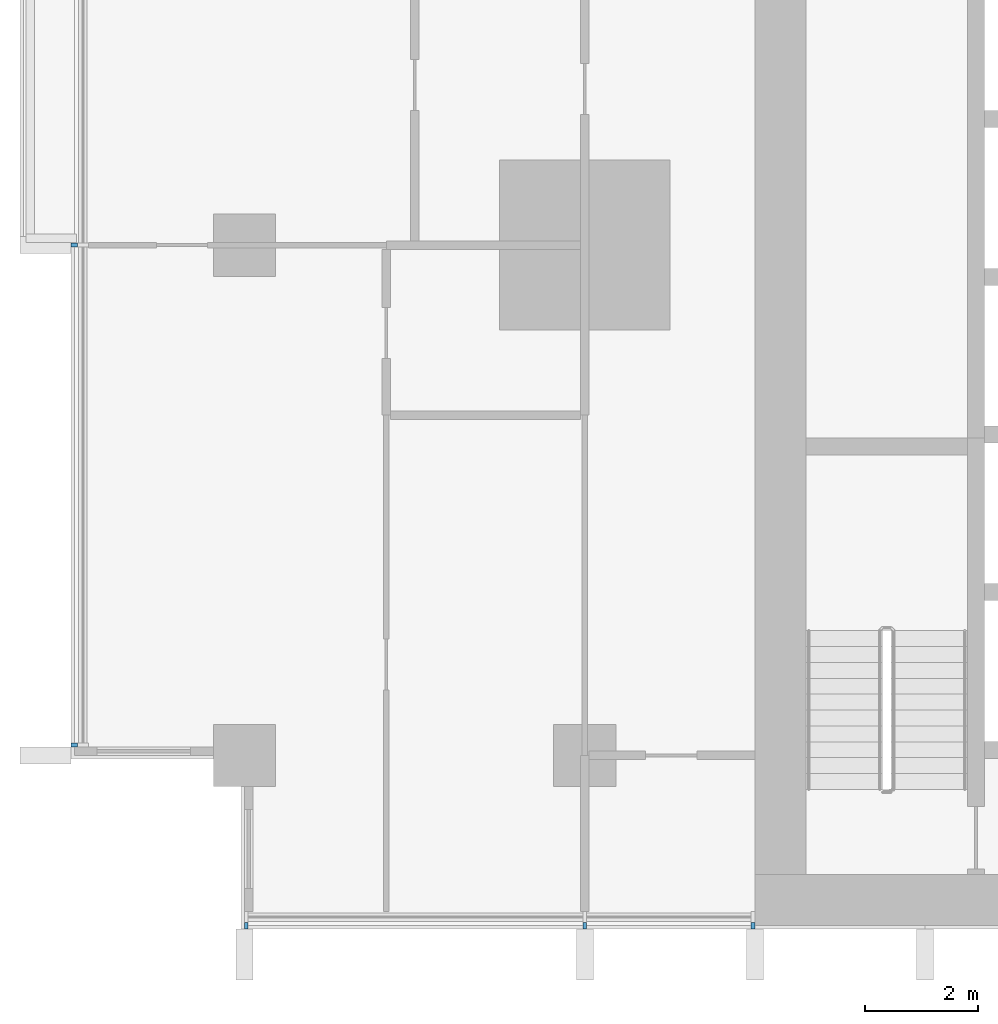
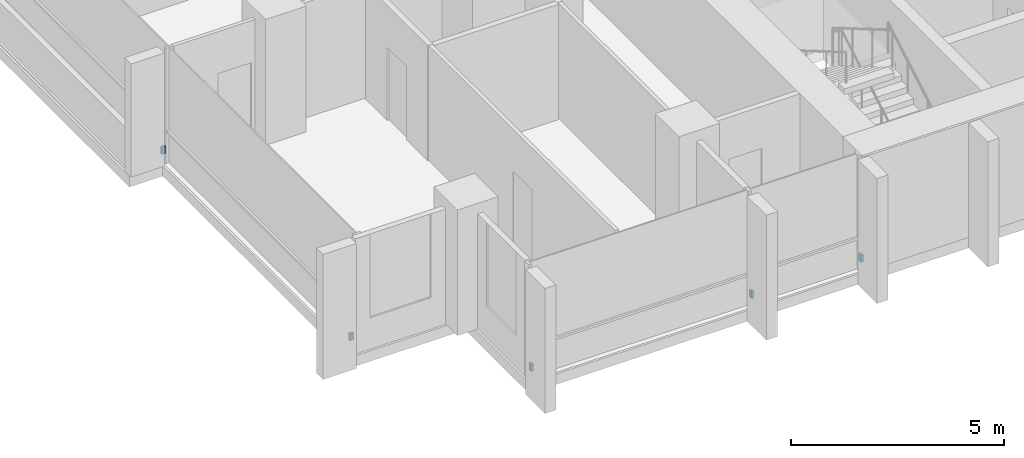
# One storey, part 13 of 17: 5 discrete accessories.
"""IFC4 building model written with IfcOpenShell, lengths in metres."""

import ifcopenshell
import ifcopenshell.guid

model = None  # the IFC model being written
_history = None  # IfcOwnerHistory: only IFC2X3 demands one
_inside = {}  # id of a spatial element -> (the spatial element, [elements in it])
_under = {}  # id of a project, library or spatial element -> (it, [spatial elements below it])
_declared = {}  # id of a project -> (the project, [libraries it declares])
_typed = {}  # id of a type object -> (the type object, [elements of that type])
_made_of = {}  # id of a material, layer set ... -> (it, [elements and type objects made of it])


def new_model(schema):
    """Start an empty IFC model of exactly this schema.

    Asked for "IFC4X3", IfcOpenShell would pick the latest addendum, in which some entities
    have other attributes; the version numbers below select the first issue.
    IFC2X3 requires an IfcOwnerHistory on every rooted entity: one is made here for all.
    """
    global model, _history
    if schema == "IFC4X3":
        model = ifcopenshell.file(schema_version=(4, 3, 0, 0))
    else:
        model = ifcopenshell.file(schema=schema)
    _inside.clear()
    _under.clear()
    _declared.clear()
    _typed.clear()
    _made_of.clear()
    _history = None
    if model.schema == "IFC2X3":
        org = make("IfcOrganization", Name="unknown")
        user = make(
            "IfcPersonAndOrganization",
            ThePerson=make("IfcPerson", FamilyName="unknown"),
            TheOrganization=org,
        )
        app = make(
            "IfcApplication",
            ApplicationDeveloper=org,
            Version="unknown",
            ApplicationFullName="unknown",
            ApplicationIdentifier="unknown",
        )
        _history = make(
            "IfcOwnerHistory",
            OwningUser=user,
            OwningApplication=app,
            ChangeAction="ADDED",
            CreationDate=0,
        )
    return model


def make(cls, **values):
    """One entity of the class cls with the attributes given. An attribute that is None is left unset."""
    return model.create_entity(
        cls, **{name: value for name, value in values.items() if value is not None}
    )


def rooted(cls, **values):
    """An entity with a GlobalId (a new one), such as an element, a storey or a relation."""
    return make(cls, GlobalId=ifcopenshell.guid.new(), OwnerHistory=_history, **values)


def si_unit(unit_type, name, prefix=None):
    """IfcSIUnit, for example si_unit("LENGTHUNIT", "METRE", prefix="MILLI")."""
    return make("IfcSIUnit", UnitType=unit_type, Prefix=prefix, Name=name)


def assignment(units):
    """IfcUnitAssignment: the units of a project."""
    return None if units is None else make("IfcUnitAssignment", Units=units)


def point(xyz):
    """IfcCartesianPoint."""
    return None if xyz is None else make("IfcCartesianPoint", Coordinates=xyz)


def direction(xyz):
    """IfcDirection."""
    return None if xyz is None else make("IfcDirection", DirectionRatios=xyz)


def frame(location, z_axis=None, x_axis=None):
    """IfcAxis2Placement3D, a coordinate frame: its origin and axes. An axis left out is left unset."""
    return make(
        "IfcAxis2Placement3D",
        Location=point(location),
        Axis=direction(z_axis),
        RefDirection=direction(x_axis),
    )


def frame_2d(location, x_axis=None):
    """IfcAxis2Placement2D, a coordinate frame in the plane: its origin and x axis."""
    return make(
        "IfcAxis2Placement2D", Location=point(location), RefDirection=direction(x_axis)
    )


def origin():
    """The frame at (0, 0, 0) with its axes left unset."""
    return frame((0.0, 0.0, 0.0))


def origin_2d():
    """The frame at (0, 0) in the plane with its x axis left unset."""
    return frame_2d((0.0, 0.0))


def place(relative_to, where):
    """IfcLocalPlacement: puts the frame where relative to a parent placement (None: the world)."""
    return make(
        "IfcLocalPlacement", PlacementRelTo=relative_to, RelativePlacement=where
    )


def context(
    kind, dimensions, precision=None, world=None, true_north=None, identifier=None
):
    """IfcGeometricRepresentationContext, for example the 3D "Model" context."""
    return make(
        "IfcGeometricRepresentationContext",
        ContextIdentifier=identifier,
        ContextType=kind,
        CoordinateSpaceDimension=dimensions,
        Precision=precision,
        WorldCoordinateSystem=world,
        TrueNorth=true_north,
    )


def subcontext(parent, identifier, kind, view, scale=None):
    """IfcGeometricRepresentationSubContext, for example "Body" below "Model"."""
    return make(
        "IfcGeometricRepresentationSubContext",
        ContextIdentifier=identifier,
        ContextType=kind,
        ParentContext=parent,
        TargetScale=scale,
        TargetView=view,
    )


def project(units=None, contexts=None):
    """IfcProject with its units and contexts."""
    return rooted(
        "IfcProject",
        Name="project",
        RepresentationContexts=contexts,
        UnitsInContext=assignment(units),
    )


def spatial(cls, under=None, at=None, **own):
    """A site, building, storey or space (cls), placed at a placement, below another one or the project."""
    s = rooted(cls, ObjectPlacement=at, **own)
    if under is not None:
        _under.setdefault(under.id(), (under, []))[1].append(s)
    return s


def profile(cls, at=None, kind="AREA", **sizes):
    """A parametric profile (cls). Its sizes go by their IFC names, for example OverallWidth=200.0."""
    return make(cls, ProfileType=kind, Position=at, **sizes)


def rectangle(**sizes):
    """IfcRectangleProfileDef."""
    return profile("IfcRectangleProfileDef", **sizes)


def extrude(swept, where, along, depth):
    """IfcExtrudedAreaSolid: the profile swept, set in the frame where, extruded along a direction by depth."""
    return make(
        "IfcExtrudedAreaSolid",
        SweptArea=swept,
        Position=where,
        ExtrudedDirection=direction(along),
        Depth=depth,
    )


def shape(context_of_items, identifier, shape_type, items):
    """IfcShapeRepresentation: the items that make up one representation, for example the "Body"."""
    return make(
        "IfcShapeRepresentation",
        ContextOfItems=context_of_items,
        RepresentationIdentifier=identifier,
        RepresentationType=shape_type,
        Items=items,
    )


def material(Name=None, Category=None):
    """IfcMaterial."""
    return make("IfcMaterial", Name=Name, Category=Category)


def made_of(thing, what):
    """Note that an element or type object is made of a material, layer set ...; save() writes the relation."""
    if what is not None:
        _made_of.setdefault(what.id(), (what, []))[1].append(thing)
    return thing


def type_object(cls, material=None, **own):
    """A type object (cls), such as IfcWallType, which elements share."""
    return made_of(rooted(cls, **own), material)


def element(
    cls,
    number,
    at=None,
    inside=None,
    cuts=None,
    type_object=None,
    material=None,
    context=None,
    identifier="Body",
    shape_type=None,
    held_by="IfcProductDefinitionShape",
    body=None,
    shapes=None,
    **own,
):
    """One element of the class cls, such as IfcWall. Its Tag is "e" and its number.

    at: its placement. inside: the storey or other place that contains it. cuts: it is an
    opening in that element (IfcRelVoidsElement). A single representation is given by context,
    identifier, shape_type and body (its items); several are given by shapes. held_by: the class
    of the entity that holds the representations. save() writes the other relations.
    """
    e = rooted(cls, Tag="e%d" % number, ObjectPlacement=at, **own)
    if body is not None:
        shapes = [shape(context, identifier, shape_type, body)]
    if shapes is not None:
        e.Representation = make(held_by, Representations=shapes)
    if inside is not None:
        _inside.setdefault(inside.id(), (inside, []))[1].append(e)
    if cuts is not None:
        rooted(
            "IfcRelVoidsElement", RelatingBuildingElement=cuts, RelatedOpeningElement=e
        )
    if type_object is not None:
        _typed.setdefault(type_object.id(), (type_object, []))[1].append(e)
    return made_of(e, material)


def aggregate(whole, parts):
    """IfcRelAggregates: a whole, such as a stair, and the parts it consists of."""
    return rooted("IfcRelAggregates", RelatingObject=whole, RelatedObjects=parts)


def save(model, path):
    """Write the relations noted so far, then the file.

    IfcRelAggregates (storeys below a building ...), IfcRelContainedInSpatialStructure (elements
    in a storey), IfcRelDefinesByType, IfcRelAssociatesMaterial and IfcRelDeclares: one each for
    every whole, place, type object, material and project.
    """
    for whole, parts in _under.values():
        aggregate(whole, parts)
    for where, things in _inside.values():
        rooted(
            "IfcRelContainedInSpatialStructure",
            RelatedElements=things,
            RelatingStructure=where,
        )
    for kind, things in _typed.values():
        rooted("IfcRelDefinesByType", RelatedObjects=things, RelatingType=kind)
    for what, things in _made_of.values():
        rooted("IfcRelAssociatesMaterial", RelatedObjects=things, RelatingMaterial=what)
    for by, libraries in _declared.values():
        rooted("IfcRelDeclares", RelatingContext=by, RelatedDefinitions=libraries)
    model.write(path)


model = new_model("IFC4")

# Units and contexts
model_context = context("Model", 3, precision=1e-05, world=origin(), true_north=direction((0.0, 1.0)))
body_context = subcontext(model_context, "Body", "Model", "MODEL_VIEW")
ifc_project = project(units=[si_unit("LENGTHUNIT", "METRE"), si_unit("AREAUNIT", "SQUARE_METRE"), si_unit("VOLUMEUNIT", "CUBIC_METRE"), si_unit("PLANEANGLEUNIT", "RADIAN"), si_unit("MASSUNIT", "GRAM", prefix="KILO")], contexts=[model_context])

# Site, building, storey
site_placement = place(None, origin())
site = spatial("IfcSite", under=ifc_project, at=site_placement, CompositionType="ELEMENT")
building_placement = place(site_placement, origin())
building = spatial("IfcBuilding", under=site, at=building_placement, Name="Finial Court Residences", CompositionType="ELEMENT")
storey_placement = place(building_placement, frame((0.0, 0.0, 64.89990234375)))
storey = spatial("IfcBuildingStorey", under=building, at=storey_placement, Name="L15", CompositionType="ELEMENT", Elevation=64.89990234375)

# Discrete accessories
ifc_material = material(Name="Stainless steel 316", Category="steel")
discrete_accessory_type = type_object("IfcDiscreteAccessoryType", Name="Fin bracket, stainless steel 65 x 110 x 200", PredefinedType="BRACKET", material=ifc_material)
for number, where, z_axis, x_axis, name in (
    (1, (-22.467529296875, -25.5048828125, 0.30029296875), (0.0, 0.0, 1.0), (1.0, 0.0, 0.0), "E-L15-FIN-S17-BRK"),
    (2, (-16.5, -25.5048828125, 0.30029296875), (0.0, 0.0, 1.0), (1.0, 0.0, 0.0), "E-L15-FIN-S18-BRK"),
    (3, (-13.532470703125, -25.5048828125, 0.30029296875), (0.0, 0.0, 1.0), (1.0, 0.0, 0.0), "E-L15-FIN-S19-BRK"),
):
    element("IfcDiscreteAccessory", number, at=place(storey_placement, frame(where, z_axis=z_axis, x_axis=x_axis)), inside=storey, type_object=discrete_accessory_type, Name=name, PredefinedType="BRACKET", context=body_context, shape_type="SweptSolid", body=[
        extrude(rectangle(XDim=0.06494140625, YDim=0.110107421875, at=origin_2d()), origin(), (0.0, 0.0, 1.0), 0.199951171875),
    ])
for number, where, z_axis, x_axis, name in (
    (4, (-25.5048828125, -22.3173828125, 0.30029296875), (0.0, 0.0, 1.0), (1.0, 0.0, 0.0), "E-L15-FIN-W27-BRK"),
    (5, (-25.5048828125, -13.5, 0.30029296875), (0.0, 0.0, 1.0), (1.0, 0.0, 0.0), "E-L15-FIN-W28-BRK"),
):
    element("IfcDiscreteAccessory", number, at=place(storey_placement, frame(where, z_axis=z_axis, x_axis=x_axis)), inside=storey, type_object=discrete_accessory_type, Name=name, PredefinedType="BRACKET", context=body_context, shape_type="SweptSolid", body=[
        extrude(rectangle(XDim=0.110107421875, YDim=0.06494140625, at=origin_2d()), origin(), (0.0, 0.0, 1.0), 0.199951171875),
    ])

save(model, "model.ifc")
